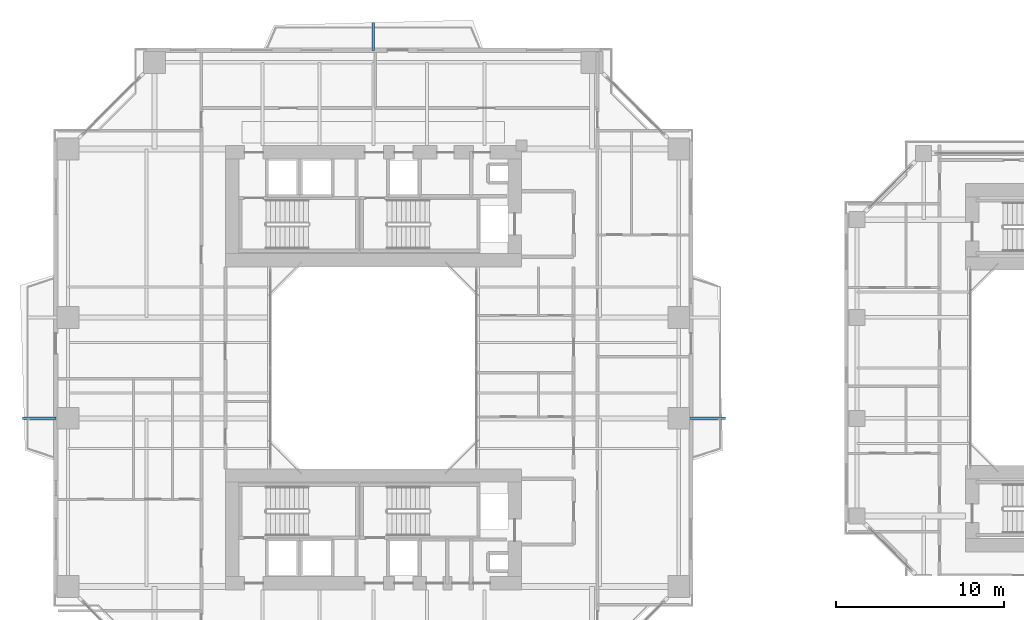
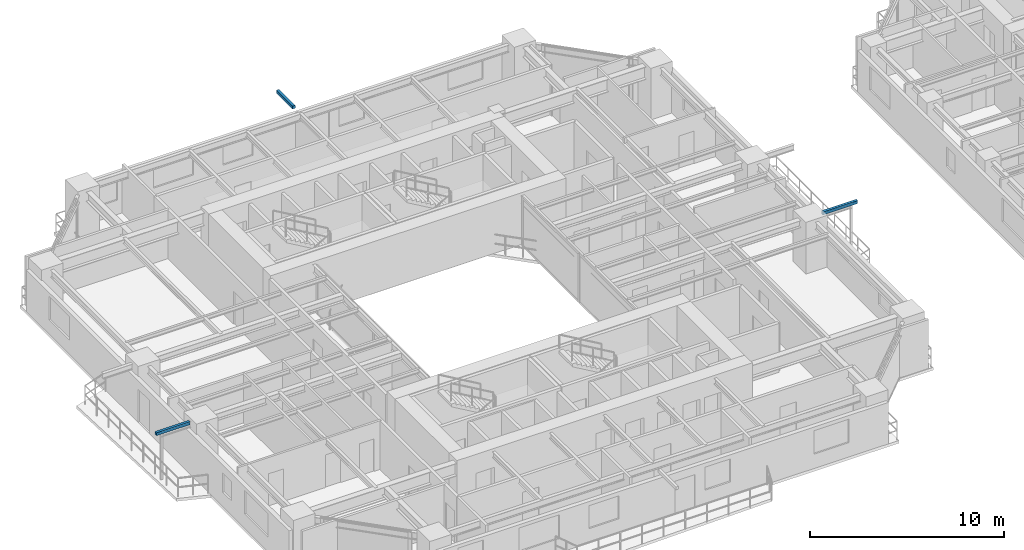
# One storey, part 19 of 23: 3 discrete accessories.
"""IFC4 building model written with IfcOpenShell, lengths in metres."""

from ifc_helpers import new_model, si_unit, direction, frame, origin, origin_2d, place, context, subcontext, project, spatial, rectangle, extrude, source, transform, mapped, material, type_object, element, save


model = new_model("IFC4")

# Units and contexts
model_context = context("Model", 3, precision=1e-05, world=origin(), true_north=direction((0.0, 1.0)))
body_context = subcontext(model_context, "Body", "Model", "MODEL_VIEW")
ifc_project = project(units=[si_unit("LENGTHUNIT", "METRE"), si_unit("AREAUNIT", "SQUARE_METRE"), si_unit("VOLUMEUNIT", "CUBIC_METRE"), si_unit("PLANEANGLEUNIT", "RADIAN"), si_unit("MASSUNIT", "GRAM", prefix="KILO"), si_unit("THERMODYNAMICTEMPERATUREUNIT", "KELVIN"), si_unit("POWERUNIT", "WATT")], contexts=[model_context])

# Site, building, storey
site_placement = place(None, origin())
site = spatial("IfcSite", under=ifc_project, at=site_placement, CompositionType="ELEMENT")
building_placement = place(site_placement, origin())
building = spatial("IfcBuilding", under=site, at=building_placement, Name="Qiaomeng Ring Towers", CompositionType="ELEMENT")
storey_placement = place(building_placement, frame((0.0, 0.0, 26.25)))
storey = spatial("IfcBuildingStorey", under=building, at=storey_placement, Name="L06", CompositionType="ELEMENT", Elevation=26.25)

# Discrete accessories
ifc_material = material(Name="Stainless steel 316", Category="steel")
discrete_accessory_type = type_object("IfcDiscreteAccessoryType", Name="ARC-ACC-BRACKET", PredefinedType="BRACKET", material=ifc_material)
shared_shape_1 = source(origin(), body_context, "Body", "SweptSolid", [
    extrude(rectangle(XDim=0.159912109375, YDim=1.669921875, at=origin_2d()), origin(), (0.0, 0.0, 1.0), 0.179931640625),
])
discrete_accessory_1_placement = place(storey_placement, frame((19.0, 42.68505859375, 2.89990234375), z_axis=(0.0, 0.0, 1.0), x_axis=(1.0, 0.0, 0.0)))
element("IfcDiscreteAccessory", 1, at=discrete_accessory_1_placement, inside=storey, type_object=discrete_accessory_type, Name="L06 Stainless Outer-Skin Tie Bracket N", PredefinedType="BRACKET", context=body_context, shape_type="MappedRepresentation", body=[
    mapped(shared_shape_1, transform((0.0, 0.0, 0.0), x_axis=(1.0, 0.0, 0.0), y_axis=(0.0, 1.0, 0.0), z_axis=(0.0, 0.0, 1.0), scale=1.0)),
])
shared_shape_2 = source(origin(), body_context, "Body", "SweptSolid", [
    extrude(rectangle(XDim=2.0, YDim=0.159912109375, at=origin_2d()), origin(), (0.0, 0.0, 1.0), 0.179931640625),
])
discrete_accessory_2_placement = place(storey_placement, frame((-0.85009765625, 20.0, 2.89990234375), z_axis=(0.0, 0.0, 1.0), x_axis=(1.0, 0.0, 0.0)))
element("IfcDiscreteAccessory", 2, at=discrete_accessory_2_placement, inside=storey, type_object=discrete_accessory_type, Name="L06 Stainless Outer-Skin Tie Bracket W", PredefinedType="BRACKET", context=body_context, shape_type="MappedRepresentation", body=[
    mapped(shared_shape_2, transform((0.0, 0.0, 0.0), x_axis=(1.0, 0.0, 0.0), y_axis=(0.0, 1.0, 0.0), z_axis=(0.0, 0.0, 1.0), scale=1.0)),
])
shared_shape_3 = source(origin(), body_context, "Body", "SweptSolid", [
    extrude(rectangle(XDim=2.070068359375, YDim=0.159912109375, at=origin_2d()), origin(), (0.0, 0.0, 1.0), 0.179931640625),
])
discrete_accessory_3_placement = place(storey_placement, frame((38.885009765625, 20.0, 2.89990234375), z_axis=(0.0, 0.0, 1.0), x_axis=(1.0, 0.0, 0.0)))
element("IfcDiscreteAccessory", 3, at=discrete_accessory_3_placement, inside=storey, type_object=discrete_accessory_type, Name="L06 Stainless Outer-Skin Tie Bracket E", PredefinedType="BRACKET", context=body_context, shape_type="MappedRepresentation", body=[
    mapped(shared_shape_3, transform((0.0, 0.0, 0.0), x_axis=(1.0, 0.0, 0.0), y_axis=(0.0, 1.0, 0.0), z_axis=(0.0, 0.0, 1.0), scale=1.0)),
])

save(model, "model.ifc")
